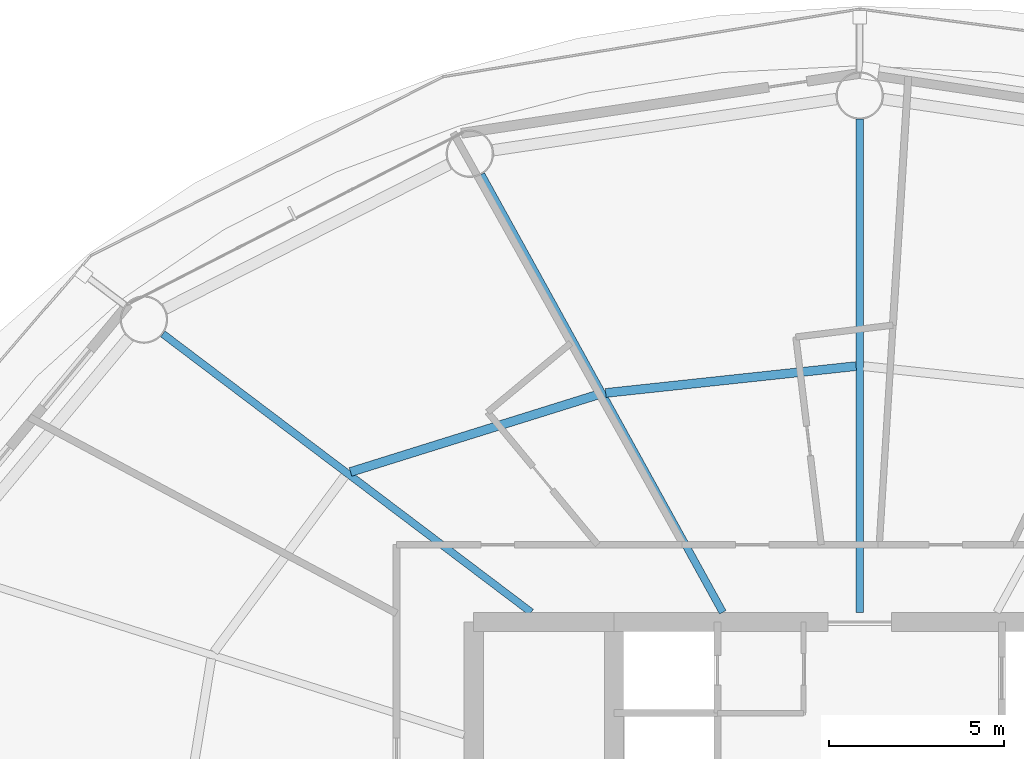
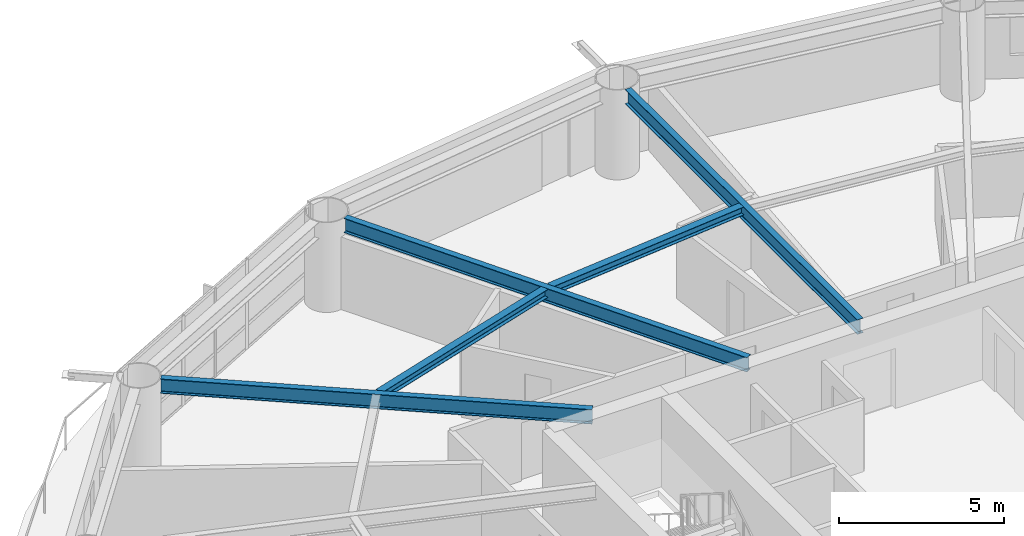
# One storey, part 9 of 24: 5 beams.
"""IFC4 building model written with IfcOpenShell, lengths in metres."""

from ifc_helpers import new_model, si_unit, direction, frame, origin, origin_2d, place, context, subcontext, project, spatial, i_section, extrude, material, material_profile, profile_set, type_object, element, save


model = new_model("IFC4")

# Units and contexts
model_context = context("Model", 3, precision=1e-05, world=origin(), true_north=direction((0.0, 1.0)))
body_context = subcontext(model_context, "Body", "Model", "MODEL_VIEW")
ifc_project = project(units=[si_unit("LENGTHUNIT", "METRE"), si_unit("AREAUNIT", "SQUARE_METRE"), si_unit("VOLUMEUNIT", "CUBIC_METRE"), si_unit("PLANEANGLEUNIT", "RADIAN"), si_unit("MASSUNIT", "GRAM", prefix="KILO")], contexts=[model_context])

# Site, building, storey
site_placement = place(None, origin())
site = spatial("IfcSite", under=ifc_project, at=site_placement, CompositionType="ELEMENT")
building_placement = place(site_placement, origin())
building = spatial("IfcBuilding", under=site, at=building_placement, Name="Sarneth Arch Tower", CompositionType="ELEMENT")
storey_placement = place(building_placement, frame((0.0, 0.0, 130.800048828125)))
storey = spatial("IfcBuildingStorey", under=building, at=storey_placement, Name="L33", CompositionType="ELEMENT", Elevation=130.800048828125)

# Beams
ifc_material_1 = material(Name="Steel S355", Category="steel")
ifc_material_profile_1 = material_profile(ifc_material_1, i_section(OverallWidth=0.25390625, OverallDepth=0.305908203125, WebThickness=0.0087890625, FlangeThickness=0.0146484375, FilletRadius=0.014892578125, at=origin_2d()), Name="W310x79")
ifc_profile_set_1 = profile_set([ifc_material_profile_1], Name="Steel S355")
beam_type_1 = type_object("IfcBeamType", Name="BM-JOIST-310A", PredefinedType="JOIST", material=ifc_profile_set_1)
beam_1_placement = place(storey_placement, frame((47.89501953125, 56.0888671875, 3.1669921875), z_axis=(-0.99429330851, -0.106680910441, 0.0), x_axis=(0.106680910441, -0.99429330851, 0.0)))
element("IfcBeam", 1, at=beam_1_placement, inside=storey, type_object=beam_type_1, Name="L33 Secondary floor joist 05", PredefinedType="JOIST", context=body_context, shape_type="SweptSolid", body=[
    extrude(i_section(OverallWidth=0.25390625, OverallDepth=0.305908203125, WebThickness=0.0087890625, FlangeThickness=0.0146484375, FilletRadius=0.014892578125, at=origin_2d()), origin(), (0.0, 0.0, 1.0), 7.174560546875),
])
beam_2_placement = place(storey_placement, frame((40.5556640625, 55.28076171875, 3.1669921875), z_axis=(-0.9544870201, -0.298252457594, 0.0), x_axis=(0.298252457594, -0.9544870201, 0.0)))
element("IfcBeam", 2, at=beam_2_placement, inside=storey, type_object=beam_type_1, Name="L33 Secondary floor joist 06", PredefinedType="JOIST", context=body_context, shape_type="SweptSolid", body=[
    extrude(i_section(OverallWidth=0.25390625, OverallDepth=0.305908203125, WebThickness=0.0087890625, FlangeThickness=0.0146484375, FilletRadius=0.014892578125, at=origin_2d()), origin(), (0.0, 0.0, 1.0), 7.40234375),
])
ifc_material_2 = material(Name="Steel S355", Category="steel")
ifc_material_profile_2 = material_profile(ifc_material_2, i_section(OverallWidth=0.2109375, OverallDepth=0.5390625, WebThickness=0.01171875, FlangeThickness=0.018798828125, FilletRadius=0.01806640625, at=origin_2d()), Name="W530x109")
ifc_profile_set_2 = profile_set([ifc_material_profile_2], Name="Steel S355")
beam_type_2 = type_object("IfcBeamType", Name="BM-RAD-530B", PredefinedType="BEAM", material=ifc_profile_set_2)
beam_3_placement = place(storey_placement, frame((48.0, 49.074951171875, 3.050537109375), z_axis=(0.0, 1.0, 0.0), x_axis=(-1.0, 0.0, 0.0)))
element("IfcBeam", 3, at=beam_3_placement, inside=storey, type_object=beam_type_2, Name="L33 Radial floor girder 05", PredefinedType="BEAM", context=body_context, shape_type="SweptSolid", body=[
    extrude(i_section(OverallWidth=0.2109375, OverallDepth=0.5390625, WebThickness=0.01171875, FlangeThickness=0.018798828125, FilletRadius=0.01806640625, at=origin_2d()), origin(), (0.0, 0.0, 1.0), 14.050048828125),
])
beam_4_placement = place(storey_placement, frame((44.09716796875, 49.074951171875, 3.050537109375), z_axis=(-0.48301301286, 0.875613173387, 0.0), x_axis=(-0.875613173387, -0.48301301286, 0.0)))
element("IfcBeam", 4, at=beam_4_placement, inside=storey, type_object=beam_type_2, Name="L33 Radial floor girder 06", PredefinedType="BEAM", context=body_context, shape_type="SweptSolid", body=[
    extrude(i_section(OverallWidth=0.2109375, OverallDepth=0.5390625, WebThickness=0.01171875, FlangeThickness=0.018798828125, FilletRadius=0.01806640625, at=origin_2d()), origin(), (0.0, 0.0, 1.0), 14.246826171875),
])
beam_5_placement = place(storey_placement, frame((38.63818359375, 49.074951171875, 3.050537109375), z_axis=(-0.797801476102, 0.602920230818, 0.0), x_axis=(-0.602920230818, -0.797801476102, 0.0)))
element("IfcBeam", 5, at=beam_5_placement, inside=storey, type_object=beam_type_2, Name="L33 Radial floor girder 07", PredefinedType="BEAM", context=body_context, shape_type="SweptSolid", body=[
    extrude(i_section(OverallWidth=0.2109375, OverallDepth=0.5390625, WebThickness=0.01171875, FlangeThickness=0.018798828125, FilletRadius=0.01806640625, at=origin_2d()), origin(), (0.0, 0.0, 1.0), 13.15771484375),
])

save(model, "model.ifc")
